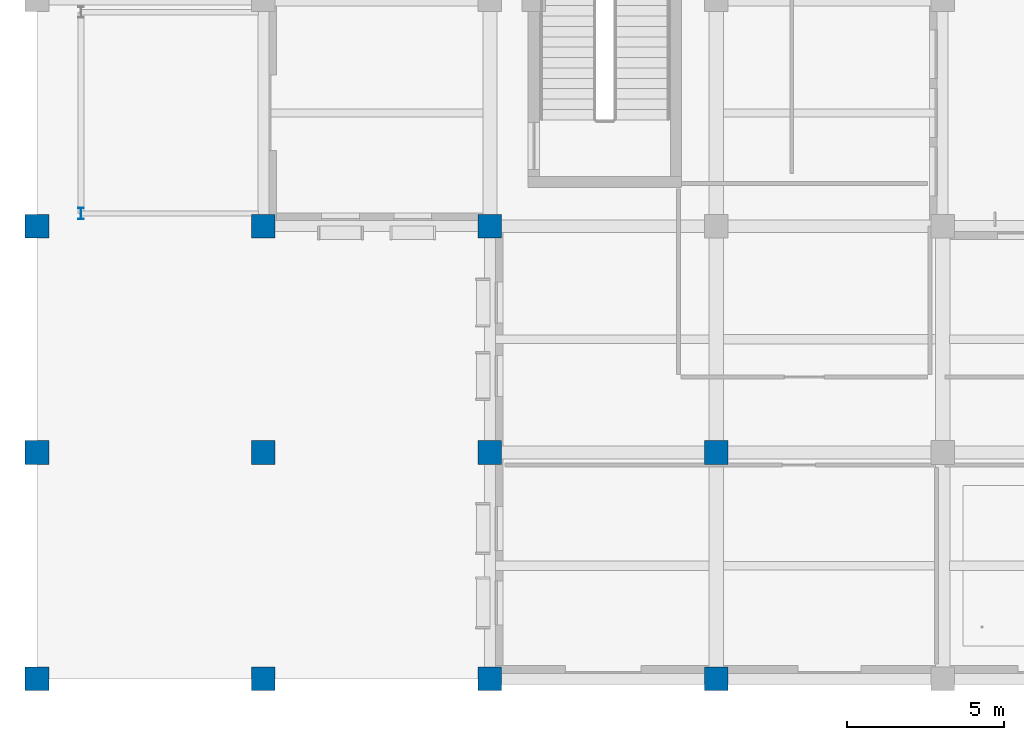
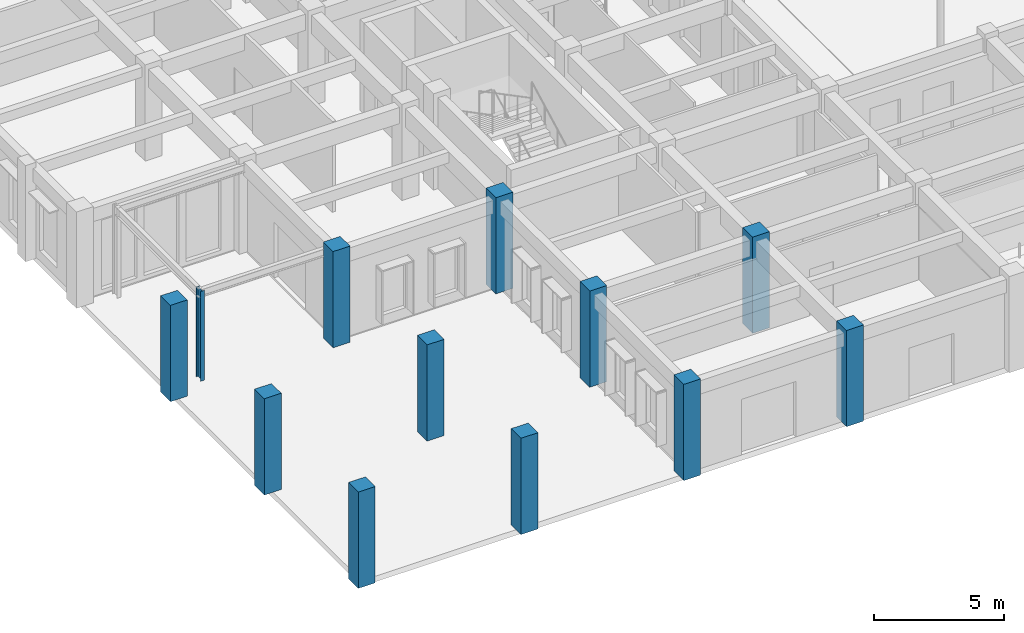
# One storey, part 1 of 43: 12 columns.
"""IFC4 building model written with IfcOpenShell, lengths in metres."""

from ifc_helpers import new_model, si_unit, direction, frame, origin, origin_2d, place, context, subcontext, project, spatial, rectangle, i_section, extrude, material, material_profile, profile_set, type_object, element, save


model = new_model("IFC4")

# Units and contexts
model_context = context("Model", 3, precision=1e-05, world=origin(), true_north=direction((0.0, 1.0)))
body_context = subcontext(model_context, "Body", "Model", "MODEL_VIEW")
ifc_project = project(units=[si_unit("LENGTHUNIT", "METRE"), si_unit("AREAUNIT", "SQUARE_METRE"), si_unit("VOLUMEUNIT", "CUBIC_METRE"), si_unit("PLANEANGLEUNIT", "RADIAN"), si_unit("MASSUNIT", "GRAM", prefix="KILO")], contexts=[model_context])

# Site, building, storey
site_placement = place(None, origin())
site = spatial("IfcSite", under=ifc_project, at=site_placement, CompositionType="ELEMENT")
building_placement = place(site_placement, origin())
building = spatial("IfcBuilding", under=site, at=building_placement, Name="Alvorim Cloister Faculty of Sciences", CompositionType="ELEMENT")
storey_placement = place(building_placement, origin())
storey = spatial("IfcBuildingStorey", under=building, at=storey_placement, Name="L00", CompositionType="ELEMENT", Elevation=0.0)

# Columns
ifc_material_1 = material(Name="Concrete C40", Category="concrete")
ifc_material_profile_1 = material_profile(ifc_material_1, rectangle(XDim=0.75, YDim=0.75, at=origin_2d()), Name="RC40-COL-750x750")
ifc_profile_set_1 = profile_set([ifc_material_profile_1], Name="Concrete C40")
column_type_1 = type_object("IfcColumnType", Name="COL-RC-750", PredefinedType="COLUMN", material=ifc_profile_set_1)
for number, where, z_axis, x_axis, name in (
    (1, (0.0, 0.0, 0.0), (0.0, 0.0, 1.0), (1.0, 0.0, 0.0), "L00 Column COL-0200"),
    (2, (0.0, 7.199951171875, 0.0), (0.0, 0.0, 1.0), (1.0, 0.0, 0.0), "L00 Column COL-0201"),
    (3, (0.0, 14.39990234375, 0.0), (0.0, 0.0, 1.0), (1.0, 0.0, 0.0), "L00 Column COL-0202"),
    (4, (7.199951171875, 0.0, 0.0), (0.0, 0.0, 1.0), (1.0, 0.0, 0.0), "L00 Column COL-0217"),
    (5, (7.199951171875, 7.199951171875, 0.0), (0.0, 0.0, 1.0), (1.0, 0.0, 0.0), "L00 Column COL-0218"),
    (6, (7.199951171875, 14.39990234375, 0.0), (0.0, 0.0, 1.0), (1.0, 0.0, 0.0), "L00 Column COL-0219"),
    (7, (14.39990234375, 0.0, 0.0), (0.0, 0.0, 1.0), (1.0, 0.0, 0.0), "L00 Column COL-0234"),
    (8, (14.39990234375, 7.199951171875, 0.0), (0.0, 0.0, 1.0), (1.0, 0.0, 0.0), "L00 Column COL-0235"),
    (9, (14.39990234375, 14.39990234375, 0.0), (0.0, 0.0, 1.0), (1.0, 0.0, 0.0), "L00 Column COL-0236"),
    (10, (21.60009765625, 0.0, 0.0), (0.0, 0.0, 1.0), (1.0, 0.0, 0.0), "L00 Column COL-0254"),
    (11, (21.60009765625, 7.199951171875, 0.0), (0.0, 0.0, 1.0), (1.0, 0.0, 0.0), "L00 Column COL-0255"),
):
    element("IfcColumn", number, at=place(storey_placement, frame(where, z_axis=z_axis, x_axis=x_axis)), inside=storey, type_object=column_type_1, Name=name, PredefinedType="COLUMN", context=body_context, shape_type="SweptSolid", body=[
        extrude(rectangle(XDim=0.75, YDim=0.75, at=origin_2d()), origin(), (0.0, 0.0, 1.0), 4.5),
    ])
ifc_material_2 = material(Name="Steel ASTM A572 Grade 50", Category="steel")
ifc_material_profile_2 = material_profile(ifc_material_2, i_section(OverallWidth=0.1708984375, OverallDepth=0.35498046875, WebThickness=0.007080078125, FlangeThickness=0.01171875, FilletRadius=0.012939453125, at=origin_2d()), Name="W360x51.0")
ifc_profile_set_2 = profile_set([ifc_material_profile_2], Name="Steel ASTM A572 Grade 50")
column_type_2 = type_object("IfcColumnType", Name="COL-STL-W360", PredefinedType="COLUMN", material=ifc_profile_set_2)
column_placement = place(storey_placement, frame((1.39990234375, 14.800048828125, 0.0), z_axis=(0.0, 0.0, 1.0), x_axis=(1.0, 0.0, 0.0)))
element("IfcColumn", 12, at=column_placement, inside=storey, type_object=column_type_2, Name="Canopy and Arcade Column COL-1108", PredefinedType="COLUMN", context=body_context, shape_type="SweptSolid", body=[
    extrude(i_section(OverallWidth=0.1708984375, OverallDepth=0.35498046875, WebThickness=0.007080078125, FlangeThickness=0.01171875, FilletRadius=0.012939453125, at=origin_2d()), origin(), (0.0, 0.0, 1.0), 4.199951171875),
])

save(model, "model.ifc")
